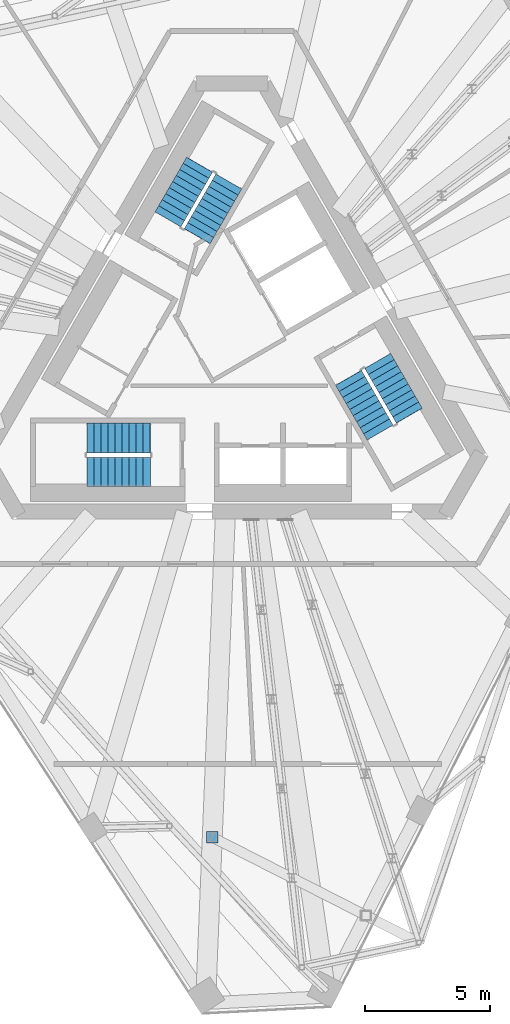
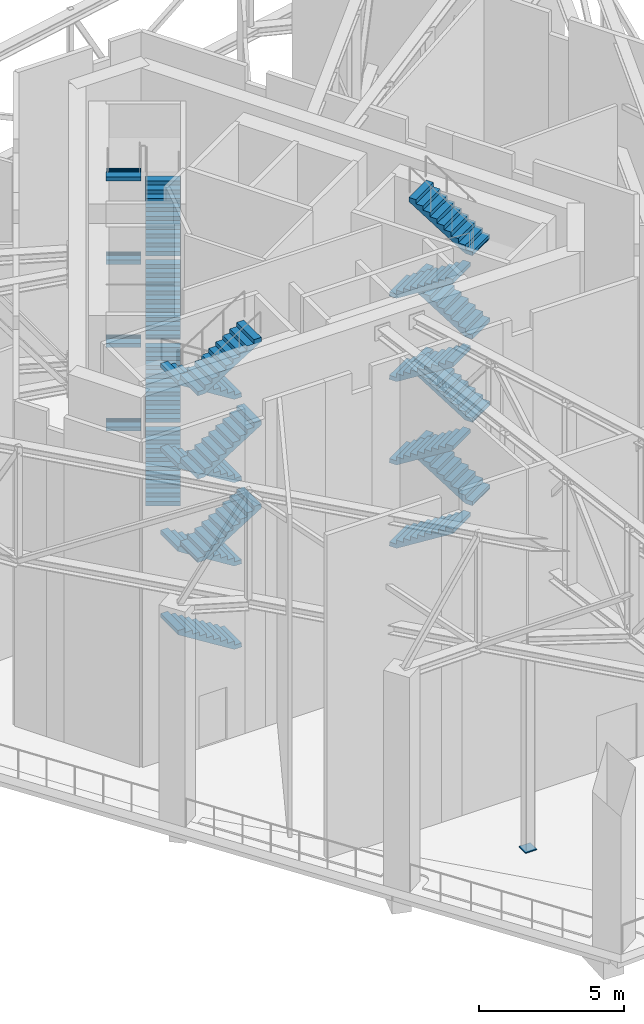
# One storey, part 17 of 23: 23 stair flights, 1 discrete accessory, 3 elements without a shape of their own.
"""IFC4 building model written with IfcOpenShell, lengths in metres."""

from ifc_helpers import new_model, si_unit, direction, frame, origin, origin_2d, place, context, subcontext, project, spatial, polyline, rectangle, outline, extrude, material, layer, layer_set, type_object, element, aggregate, save


model = new_model("IFC4")

# Units and contexts
model_context = context("Model", 3, precision=1e-05, world=origin(), true_north=direction((0.0, 1.0)))
body_context = subcontext(model_context, "Body", "Model", "MODEL_VIEW")
ifc_project = project(units=[si_unit("LENGTHUNIT", "METRE"), si_unit("AREAUNIT", "SQUARE_METRE"), si_unit("VOLUMEUNIT", "CUBIC_METRE"), si_unit("PLANEANGLEUNIT", "RADIAN"), si_unit("MASSUNIT", "GRAM", prefix="KILO")], contexts=[model_context])

# Site, building, storey
site_placement = place(None, origin())
site = spatial("IfcSite", under=ifc_project, at=site_placement, CompositionType="ELEMENT")
building_placement = place(site_placement, origin())
building = spatial("IfcBuilding", under=site, at=building_placement, Name="Tramontana Tower", CompositionType="ELEMENT")
storey_placement = place(building_placement, frame((0.0, 0.0, 306.39990234375)))
storey = spatial("IfcBuildingStorey", under=building, at=storey_placement, Name="L72", CompositionType="ELEMENT", Elevation=306.39990234375)

# Stair, stair flights
ifc_material_1 = material(Name="Concrete 40 MPa", Category="concrete")
stair_type = type_object("IfcStairType", Name="EXIT STAIR 80 RISERS", PredefinedType="HALF_TURN_STAIR", material=ifc_material_1)
stair_1_placement = place(storey_placement, origin())
stair_1 = element("IfcStair", 1, at=stair_1_placement, inside=storey, type_object=stair_type, Name="L72 Exit stair ST1", PredefinedType="HALF_TURN_STAIR")
ifc_material_2 = material(Name="Concrete 40 MPa", Category="concrete")
ifc_layer_1 = layer(ifc_material_2, 0.14990234375)
ifc_layer_set_1 = layer_set([ifc_layer_1], Name="EXIT STAIR FLIGHT")
stair_flight_type = type_object("IfcStairFlightType", Name="EXIT STAIR FLIGHT", PredefinedType="STRAIGHT", material=ifc_layer_set_1)
stair_flight_1_placement = place(storey_placement, frame((-1.39111328125, 4.590576171875, 0.0), z_axis=(0.0, 0.0, 1.0), x_axis=(0.5, 0.866025403784, 0.0)))
stair_flight_1 = element("IfcStairFlight", 2, at=stair_flight_1_placement, type_object=stair_flight_type, Name="ST1 flight 1", NumberOfRisers=10, NumberOfTreads=9, PredefinedType="STRAIGHT", RiserHeight=0.175, TreadLength=0.28, context=body_context, shape_type="SweptSolid", body=[
    extrude(outline(polyline([(-0.006103515625, 0.0), (-0.006103515625, 0.0400390625), (0.0, 0.0400390625), (0.0, 0.175048828125), (0.280029296875, 0.175048828125), (0.280029296875, 0.35009765625), (0.56005859375, 0.35009765625), (0.56005859375, 0.52490234375), (0.840087890625, 0.52490234375), (0.840087890625, 0.699951171875), (1.1201171875, 0.699951171875), (1.1201171875, 0.875), (1.39990234375, 0.875), (1.39990234375, 1.050048828125), (1.679931640625, 1.050048828125), (1.679931640625, 1.22509765625), (1.9599609375, 1.22509765625), (1.9599609375, 1.39990234375), (2.239990234375, 1.39990234375), (2.239990234375, 1.574951171875), (2.52001953125, 1.574951171875), (2.52587890625, 1.574951171875), (2.52587890625, 1.398193359375), (0.288818359375, 0.0), (-0.006103515625, 0.0)])), frame((0.0, 0.60009765625, 0.0), z_axis=(0.0, -1.0, 0.0), x_axis=(1.0, 0.0, 0.0)), (0.0, 0.0, 1.0), 1.199951171875),
])
stair_flight_2_placement = place(storey_placement, frame((-1.30029296875, 7.447998046875, 1.75), z_axis=(0.0, 0.0, 1.0), x_axis=(-0.5, -0.866025403784, 0.0)))
stair_flight_2 = element("IfcStairFlight", 3, at=stair_flight_2_placement, type_object=stair_flight_type, Name="ST1 flight 2", NumberOfRisers=10, NumberOfTreads=9, PredefinedType="STRAIGHT", RiserHeight=0.175, TreadLength=0.28, context=body_context, shape_type="SweptSolid", body=[
    extrude(outline(polyline([(-0.006103515625, 0.0), (-0.006103515625, 0.0400390625), (0.0, 0.0400390625), (0.0, 0.175048828125), (0.280029296875, 0.175048828125), (0.280029296875, 0.35009765625), (0.56005859375, 0.35009765625), (0.56005859375, 0.52490234375), (0.840087890625, 0.52490234375), (0.840087890625, 0.699951171875), (1.1201171875, 0.699951171875), (1.1201171875, 0.875), (1.39990234375, 0.875), (1.39990234375, 1.050048828125), (1.679931640625, 1.050048828125), (1.679931640625, 1.22509765625), (1.9599609375, 1.22509765625), (1.9599609375, 1.39990234375), (2.239990234375, 1.39990234375), (2.239990234375, 1.574951171875), (2.52001953125, 1.574951171875), (2.52587890625, 1.574951171875), (2.52587890625, 1.398193359375), (0.288818359375, 0.0), (-0.006103515625, 0.0)])), frame((0.0, 0.60009765625, 0.0), z_axis=(0.0, -1.0, 0.0), x_axis=(1.0, 0.0, 0.0)), (0.0, 0.0, 1.0), 1.199951171875),
])
stair_flight_3_placement = place(storey_placement, frame((-1.39111328125, 4.590576171875, 3.5), z_axis=(0.0, 0.0, 1.0), x_axis=(0.5, 0.866025403784, 0.0)))
stair_flight_3 = element("IfcStairFlight", 4, at=stair_flight_3_placement, type_object=stair_flight_type, Name="ST1 flight 3", NumberOfRisers=10, NumberOfTreads=9, PredefinedType="STRAIGHT", RiserHeight=0.175, TreadLength=0.28, context=body_context, shape_type="SweptSolid", body=[
    extrude(outline(polyline([(-0.006103515625, 0.0), (-0.006103515625, 0.0400390625), (0.0, 0.0400390625), (0.0, 0.175048828125), (0.280029296875, 0.175048828125), (0.280029296875, 0.35009765625), (0.56005859375, 0.35009765625), (0.56005859375, 0.52490234375), (0.840087890625, 0.52490234375), (0.840087890625, 0.699951171875), (1.1201171875, 0.699951171875), (1.1201171875, 0.875), (1.39990234375, 0.875), (1.39990234375, 1.050048828125), (1.679931640625, 1.050048828125), (1.679931640625, 1.22509765625), (1.9599609375, 1.22509765625), (1.9599609375, 1.39990234375), (2.239990234375, 1.39990234375), (2.239990234375, 1.574951171875), (2.52001953125, 1.574951171875), (2.52587890625, 1.574951171875), (2.52587890625, 1.398193359375), (0.288818359375, 0.0), (-0.006103515625, 0.0)])), frame((0.0, 0.60009765625, 0.0), z_axis=(0.0, -1.0, 0.0), x_axis=(1.0, 0.0, 0.0)), (0.0, 0.0, 1.0), 1.199951171875),
])
stair_flight_4_placement = place(storey_placement, frame((-1.30029296875, 7.447998046875, 5.25), z_axis=(0.0, 0.0, 1.0), x_axis=(-0.5, -0.866025403784, 0.0)))
stair_flight_4 = element("IfcStairFlight", 5, at=stair_flight_4_placement, type_object=stair_flight_type, Name="ST1 flight 4", NumberOfRisers=10, NumberOfTreads=9, PredefinedType="STRAIGHT", RiserHeight=0.175, TreadLength=0.28, context=body_context, shape_type="SweptSolid", body=[
    extrude(outline(polyline([(-0.006103515625, 0.0), (-0.006103515625, 0.0400390625), (0.0, 0.0400390625), (0.0, 0.175048828125), (0.280029296875, 0.175048828125), (0.280029296875, 0.35009765625), (0.56005859375, 0.35009765625), (0.56005859375, 0.52490234375), (0.840087890625, 0.52490234375), (0.840087890625, 0.699951171875), (1.1201171875, 0.699951171875), (1.1201171875, 0.875), (1.39990234375, 0.875), (1.39990234375, 1.050048828125), (1.679931640625, 1.050048828125), (1.679931640625, 1.22509765625), (1.9599609375, 1.22509765625), (1.9599609375, 1.39990234375), (2.239990234375, 1.39990234375), (2.239990234375, 1.574951171875), (2.52001953125, 1.574951171875), (2.52587890625, 1.574951171875), (2.52587890625, 1.398193359375), (0.288818359375, 0.0), (-0.006103515625, 0.0)])), frame((0.0, 0.60009765625, 0.0), z_axis=(0.0, -1.0, 0.0), x_axis=(1.0, 0.0, 0.0)), (0.0, 0.0, 1.0), 1.199951171875),
])
stair_flight_5_placement = place(storey_placement, frame((-1.39111328125, 4.590576171875, 7.0), z_axis=(0.0, 0.0, 1.0), x_axis=(0.5, 0.866025403784, 0.0)))
stair_flight_5 = element("IfcStairFlight", 6, at=stair_flight_5_placement, type_object=stair_flight_type, Name="ST1 flight 5", NumberOfRisers=10, NumberOfTreads=9, PredefinedType="STRAIGHT", RiserHeight=0.175, TreadLength=0.28, context=body_context, shape_type="SweptSolid", body=[
    extrude(outline(polyline([(-0.006103515625, 0.0), (-0.006103515625, 0.0400390625), (0.0, 0.0400390625), (0.0, 0.175048828125), (0.280029296875, 0.175048828125), (0.280029296875, 0.35009765625), (0.56005859375, 0.35009765625), (0.56005859375, 0.52490234375), (0.840087890625, 0.52490234375), (0.840087890625, 0.699951171875), (1.1201171875, 0.699951171875), (1.1201171875, 0.875), (1.39990234375, 0.875), (1.39990234375, 1.050048828125), (1.679931640625, 1.050048828125), (1.679931640625, 1.22509765625), (1.9599609375, 1.22509765625), (1.9599609375, 1.39990234375), (2.239990234375, 1.39990234375), (2.239990234375, 1.574951171875), (2.52001953125, 1.574951171875), (2.52587890625, 1.574951171875), (2.52587890625, 1.398193359375), (0.288818359375, 0.0), (-0.006103515625, 0.0)])), frame((0.0, 0.60009765625, 0.0), z_axis=(0.0, -1.0, 0.0), x_axis=(1.0, 0.0, 0.0)), (0.0, 0.0, 1.0), 1.199951171875),
])
stair_flight_6_placement = place(storey_placement, frame((-1.30029296875, 7.447998046875, 8.75), z_axis=(0.0, 0.0, 1.0), x_axis=(-0.5, -0.866025403784, 0.0)))
stair_flight_6 = element("IfcStairFlight", 7, at=stair_flight_6_placement, type_object=stair_flight_type, Name="ST1 flight 6", NumberOfRisers=10, NumberOfTreads=9, PredefinedType="STRAIGHT", RiserHeight=0.175, TreadLength=0.28, context=body_context, shape_type="SweptSolid", body=[
    extrude(outline(polyline([(-0.006103515625, 0.0), (-0.006103515625, 0.0400390625), (0.0, 0.0400390625), (0.0, 0.175048828125), (0.280029296875, 0.175048828125), (0.280029296875, 0.35009765625), (0.56005859375, 0.35009765625), (0.56005859375, 0.52490234375), (0.840087890625, 0.52490234375), (0.840087890625, 0.699951171875), (1.1201171875, 0.699951171875), (1.1201171875, 0.875), (1.39990234375, 0.875), (1.39990234375, 1.050048828125), (1.679931640625, 1.050048828125), (1.679931640625, 1.22509765625), (1.9599609375, 1.22509765625), (1.9599609375, 1.39990234375), (2.239990234375, 1.39990234375), (2.239990234375, 1.574951171875), (2.52001953125, 1.574951171875), (2.52587890625, 1.574951171875), (2.52587890625, 1.398193359375), (0.288818359375, 0.0), (-0.006103515625, 0.0)])), frame((0.0, 0.60009765625, 0.0), z_axis=(0.0, -1.0, 0.0), x_axis=(1.0, 0.0, 0.0)), (0.0, 0.0, 1.0), 1.199951171875),
])
stair_flight_7_placement = place(storey_placement, frame((-1.39111328125, 4.590576171875, 10.5), z_axis=(0.0, 0.0, 1.0), x_axis=(0.5, 0.866025403784, 0.0)))
stair_flight_7 = element("IfcStairFlight", 8, at=stair_flight_7_placement, type_object=stair_flight_type, Name="ST1 flight 7", NumberOfRisers=10, NumberOfTreads=9, PredefinedType="STRAIGHT", RiserHeight=0.175, TreadLength=0.28, context=body_context, shape_type="SweptSolid", body=[
    extrude(outline(polyline([(-0.006103515625, 0.0), (-0.006103515625, 0.0400390625), (0.0, 0.0400390625), (0.0, 0.175048828125), (0.280029296875, 0.175048828125), (0.280029296875, 0.35009765625), (0.56005859375, 0.35009765625), (0.56005859375, 0.52490234375), (0.840087890625, 0.52490234375), (0.840087890625, 0.699951171875), (1.1201171875, 0.699951171875), (1.1201171875, 0.875), (1.39990234375, 0.875), (1.39990234375, 1.050048828125), (1.679931640625, 1.050048828125), (1.679931640625, 1.22509765625), (1.9599609375, 1.22509765625), (1.9599609375, 1.39990234375), (2.239990234375, 1.39990234375), (2.239990234375, 1.574951171875), (2.52001953125, 1.574951171875), (2.52587890625, 1.574951171875), (2.52587890625, 1.398193359375), (0.288818359375, 0.0), (-0.006103515625, 0.0)])), frame((0.0, 0.60009765625, 0.0), z_axis=(0.0, -1.0, 0.0), x_axis=(1.0, 0.0, 0.0)), (0.0, 0.0, 1.0), 1.199951171875),
])
stair_flight_8_placement = place(storey_placement, frame((-1.30029296875, 7.447998046875, 12.25), z_axis=(0.0, 0.0, 1.0), x_axis=(-0.5, -0.866025403784, 0.0)))
stair_flight_8 = element("IfcStairFlight", 9, at=stair_flight_8_placement, type_object=stair_flight_type, Name="ST1 flight 8", NumberOfRisers=10, NumberOfTreads=9, PredefinedType="STRAIGHT", RiserHeight=0.175, TreadLength=0.28, context=body_context, shape_type="SweptSolid", body=[
    extrude(outline(polyline([(-0.006103515625, 0.0), (-0.006103515625, 0.0400390625), (0.0, 0.0400390625), (0.0, 0.175048828125), (0.280029296875, 0.175048828125), (0.280029296875, 0.35009765625), (0.56005859375, 0.35009765625), (0.56005859375, 0.52490234375), (0.840087890625, 0.52490234375), (0.840087890625, 0.699951171875), (1.1201171875, 0.699951171875), (1.1201171875, 0.875), (1.39990234375, 0.875), (1.39990234375, 1.050048828125), (1.679931640625, 1.050048828125), (1.679931640625, 1.22509765625), (1.9599609375, 1.22509765625), (1.9599609375, 1.39990234375), (2.239990234375, 1.39990234375), (2.239990234375, 1.574951171875), (2.52001953125, 1.574951171875), (2.52587890625, 1.574951171875), (2.52587890625, 1.398193359375), (0.288818359375, 0.0), (-0.006103515625, 0.0)])), frame((0.0, 0.60009765625, 0.0), z_axis=(0.0, -1.0, 0.0), x_axis=(1.0, 0.0, 0.0)), (0.0, 0.0, 1.0), 1.199951171875),
])
aggregate(stair_1, [stair_flight_1, stair_flight_2, stair_flight_3, stair_flight_4, stair_flight_5, stair_flight_6, stair_flight_7, stair_flight_8])

stair_2_placement = place(storey_placement, origin())
stair_2 = element("IfcStair", 10, at=stair_2_placement, inside=storey, type_object=stair_type, Name="L72 Exit stair ST2", PredefinedType="HALF_TURN_STAIR")
stair_flight_9_placement = place(storey_placement, frame((-3.280029296875, -3.5, 0.0), z_axis=(0.0, 0.0, 1.0), x_axis=(-1.0, 0.0, 0.0)))
stair_flight_9 = element("IfcStairFlight", 11, at=stair_flight_9_placement, type_object=stair_flight_type, Name="ST2 flight 1", NumberOfRisers=10, NumberOfTreads=9, PredefinedType="STRAIGHT", RiserHeight=0.175, TreadLength=0.28, context=body_context, shape_type="SweptSolid", body=[
    extrude(outline(polyline([(-0.006103515625, 0.0), (-0.006103515625, 0.0400390625), (0.0, 0.0400390625), (0.0, 0.175048828125), (0.280029296875, 0.175048828125), (0.280029296875, 0.35009765625), (0.56005859375, 0.35009765625), (0.56005859375, 0.52490234375), (0.840087890625, 0.52490234375), (0.840087890625, 0.699951171875), (1.1201171875, 0.699951171875), (1.1201171875, 0.875), (1.39990234375, 0.875), (1.39990234375, 1.050048828125), (1.679931640625, 1.050048828125), (1.679931640625, 1.22509765625), (1.9599609375, 1.22509765625), (1.9599609375, 1.39990234375), (2.239990234375, 1.39990234375), (2.239990234375, 1.574951171875), (2.52001953125, 1.574951171875), (2.52587890625, 1.574951171875), (2.52587890625, 1.398193359375), (0.288818359375, 0.0), (-0.006103515625, 0.0)])), frame((0.0, 0.60009765625, 0.0), z_axis=(0.0, -1.0, 0.0), x_axis=(1.0, 0.0, 0.0)), (0.0, 0.0, 1.0), 1.199951171875),
])
stair_flight_10_placement = place(storey_placement, frame((-3.280029296875, -3.5, 3.5), z_axis=(0.0, 0.0, 1.0), x_axis=(-1.0, 0.0, 0.0)))
stair_flight_10 = element("IfcStairFlight", 12, at=stair_flight_10_placement, type_object=stair_flight_type, Name="ST2 flight 3", NumberOfRisers=10, NumberOfTreads=9, PredefinedType="STRAIGHT", RiserHeight=0.175, TreadLength=0.28, context=body_context, shape_type="SweptSolid", body=[
    extrude(outline(polyline([(-0.006103515625, 0.0), (-0.006103515625, 0.0400390625), (0.0, 0.0400390625), (0.0, 0.175048828125), (0.280029296875, 0.175048828125), (0.280029296875, 0.35009765625), (0.56005859375, 0.35009765625), (0.56005859375, 0.52490234375), (0.840087890625, 0.52490234375), (0.840087890625, 0.699951171875), (1.1201171875, 0.699951171875), (1.1201171875, 0.875), (1.39990234375, 0.875), (1.39990234375, 1.050048828125), (1.679931640625, 1.050048828125), (1.679931640625, 1.22509765625), (1.9599609375, 1.22509765625), (1.9599609375, 1.39990234375), (2.239990234375, 1.39990234375), (2.239990234375, 1.574951171875), (2.52001953125, 1.574951171875), (2.52587890625, 1.574951171875), (2.52587890625, 1.398193359375), (0.288818359375, 0.0), (-0.006103515625, 0.0)])), frame((0.0, 0.60009765625, 0.0), z_axis=(0.0, -1.0, 0.0), x_axis=(1.0, 0.0, 0.0)), (0.0, 0.0, 1.0), 1.199951171875),
])
stair_flight_11_placement = place(storey_placement, frame((-5.800048828125, -4.85009765625, 5.25), z_axis=(0.0, 0.0, 1.0), x_axis=(1.0, 0.0, 0.0)))
stair_flight_11 = element("IfcStairFlight", 13, at=stair_flight_11_placement, type_object=stair_flight_type, Name="ST2 flight 4", NumberOfRisers=10, NumberOfTreads=9, PredefinedType="STRAIGHT", RiserHeight=0.175, TreadLength=0.28, context=body_context, shape_type="SweptSolid", body=[
    extrude(outline(polyline([(-0.006103515625, 0.0), (-0.006103515625, 0.0400390625), (0.0, 0.0400390625), (0.0, 0.175048828125), (0.280029296875, 0.175048828125), (0.280029296875, 0.35009765625), (0.56005859375, 0.35009765625), (0.56005859375, 0.52490234375), (0.840087890625, 0.52490234375), (0.840087890625, 0.699951171875), (1.1201171875, 0.699951171875), (1.1201171875, 0.875), (1.39990234375, 0.875), (1.39990234375, 1.050048828125), (1.679931640625, 1.050048828125), (1.679931640625, 1.22509765625), (1.9599609375, 1.22509765625), (1.9599609375, 1.39990234375), (2.239990234375, 1.39990234375), (2.239990234375, 1.574951171875), (2.52001953125, 1.574951171875), (2.52587890625, 1.574951171875), (2.52587890625, 1.398193359375), (0.288818359375, 0.0), (-0.006103515625, 0.0)])), frame((0.0, 0.60009765625, 0.0), z_axis=(0.0, -1.0, 0.0), x_axis=(1.0, 0.0, 0.0)), (0.0, 0.0, 1.0), 1.199951171875),
])
stair_flight_12_placement = place(storey_placement, frame((-3.280029296875, -3.5, 7.0), z_axis=(0.0, 0.0, 1.0), x_axis=(-1.0, 0.0, 0.0)))
stair_flight_12 = element("IfcStairFlight", 14, at=stair_flight_12_placement, type_object=stair_flight_type, Name="ST2 flight 5", NumberOfRisers=10, NumberOfTreads=9, PredefinedType="STRAIGHT", RiserHeight=0.175, TreadLength=0.28, context=body_context, shape_type="SweptSolid", body=[
    extrude(outline(polyline([(-0.006103515625, 0.0), (-0.006103515625, 0.0400390625), (0.0, 0.0400390625), (0.0, 0.175048828125), (0.280029296875, 0.175048828125), (0.280029296875, 0.35009765625), (0.56005859375, 0.35009765625), (0.56005859375, 0.52490234375), (0.840087890625, 0.52490234375), (0.840087890625, 0.699951171875), (1.1201171875, 0.699951171875), (1.1201171875, 0.875), (1.39990234375, 0.875), (1.39990234375, 1.050048828125), (1.679931640625, 1.050048828125), (1.679931640625, 1.22509765625), (1.9599609375, 1.22509765625), (1.9599609375, 1.39990234375), (2.239990234375, 1.39990234375), (2.239990234375, 1.574951171875), (2.52001953125, 1.574951171875), (2.52587890625, 1.574951171875), (2.52587890625, 1.398193359375), (0.288818359375, 0.0), (-0.006103515625, 0.0)])), frame((0.0, 0.60009765625, 0.0), z_axis=(0.0, -1.0, 0.0), x_axis=(1.0, 0.0, 0.0)), (0.0, 0.0, 1.0), 1.199951171875),
])
stair_flight_13_placement = place(storey_placement, frame((-5.800048828125, -4.85009765625, 8.75), z_axis=(0.0, 0.0, 1.0), x_axis=(1.0, 0.0, 0.0)))
stair_flight_13 = element("IfcStairFlight", 15, at=stair_flight_13_placement, type_object=stair_flight_type, Name="ST2 flight 6", NumberOfRisers=10, NumberOfTreads=9, PredefinedType="STRAIGHT", RiserHeight=0.175, TreadLength=0.28, context=body_context, shape_type="SweptSolid", body=[
    extrude(outline(polyline([(-0.006103515625, 0.0), (-0.006103515625, 0.0400390625), (0.0, 0.0400390625), (0.0, 0.175048828125), (0.280029296875, 0.175048828125), (0.280029296875, 0.35009765625), (0.56005859375, 0.35009765625), (0.56005859375, 0.52490234375), (0.840087890625, 0.52490234375), (0.840087890625, 0.699951171875), (1.1201171875, 0.699951171875), (1.1201171875, 0.875), (1.39990234375, 0.875), (1.39990234375, 1.050048828125), (1.679931640625, 1.050048828125), (1.679931640625, 1.22509765625), (1.9599609375, 1.22509765625), (1.9599609375, 1.39990234375), (2.239990234375, 1.39990234375), (2.239990234375, 1.574951171875), (2.52001953125, 1.574951171875), (2.52587890625, 1.574951171875), (2.52587890625, 1.398193359375), (0.288818359375, 0.0), (-0.006103515625, 0.0)])), frame((0.0, 0.60009765625, 0.0), z_axis=(0.0, -1.0, 0.0), x_axis=(1.0, 0.0, 0.0)), (0.0, 0.0, 1.0), 1.199951171875),
])
stair_flight_14_placement = place(storey_placement, frame((-3.280029296875, -3.5, 10.5), z_axis=(0.0, 0.0, 1.0), x_axis=(-1.0, 0.0, 0.0)))
stair_flight_14 = element("IfcStairFlight", 16, at=stair_flight_14_placement, type_object=stair_flight_type, Name="ST2 flight 7", NumberOfRisers=10, NumberOfTreads=9, PredefinedType="STRAIGHT", RiserHeight=0.175, TreadLength=0.28, context=body_context, shape_type="SweptSolid", body=[
    extrude(outline(polyline([(-0.006103515625, 0.0), (-0.006103515625, 0.0400390625), (0.0, 0.0400390625), (0.0, 0.175048828125), (0.280029296875, 0.175048828125), (0.280029296875, 0.35009765625), (0.56005859375, 0.35009765625), (0.56005859375, 0.52490234375), (0.840087890625, 0.52490234375), (0.840087890625, 0.699951171875), (1.1201171875, 0.699951171875), (1.1201171875, 0.875), (1.39990234375, 0.875), (1.39990234375, 1.050048828125), (1.679931640625, 1.050048828125), (1.679931640625, 1.22509765625), (1.9599609375, 1.22509765625), (1.9599609375, 1.39990234375), (2.239990234375, 1.39990234375), (2.239990234375, 1.574951171875), (2.52001953125, 1.574951171875), (2.52587890625, 1.574951171875), (2.52587890625, 1.398193359375), (0.288818359375, 0.0), (-0.006103515625, 0.0)])), frame((0.0, 0.60009765625, 0.0), z_axis=(0.0, -1.0, 0.0), x_axis=(1.0, 0.0, 0.0)), (0.0, 0.0, 1.0), 1.199951171875),
])
stair_flight_15_placement = place(storey_placement, frame((-5.800048828125, -4.85009765625, 12.25), z_axis=(0.0, 0.0, 1.0), x_axis=(1.0, 0.0, 0.0)))
stair_flight_15 = element("IfcStairFlight", 17, at=stair_flight_15_placement, type_object=stair_flight_type, Name="ST2 flight 8", NumberOfRisers=10, NumberOfTreads=9, PredefinedType="STRAIGHT", RiserHeight=0.175, TreadLength=0.28, context=body_context, shape_type="SweptSolid", body=[
    extrude(outline(polyline([(-0.006103515625, 0.0), (-0.006103515625, 0.0400390625), (0.0, 0.0400390625), (0.0, 0.175048828125), (0.280029296875, 0.175048828125), (0.280029296875, 0.35009765625), (0.56005859375, 0.35009765625), (0.56005859375, 0.52490234375), (0.840087890625, 0.52490234375), (0.840087890625, 0.699951171875), (1.1201171875, 0.699951171875), (1.1201171875, 0.875), (1.39990234375, 0.875), (1.39990234375, 1.050048828125), (1.679931640625, 1.050048828125), (1.679931640625, 1.22509765625), (1.9599609375, 1.22509765625), (1.9599609375, 1.39990234375), (2.239990234375, 1.39990234375), (2.239990234375, 1.574951171875), (2.52001953125, 1.574951171875), (2.52587890625, 1.574951171875), (2.52587890625, 1.398193359375), (0.288818359375, 0.0), (-0.006103515625, 0.0)])), frame((0.0, 0.60009765625, 0.0), z_axis=(0.0, -1.0, 0.0), x_axis=(1.0, 0.0, 0.0)), (0.0, 0.0, 1.0), 1.199951171875),
])
aggregate(stair_2, [stair_flight_9, stair_flight_10, stair_flight_11, stair_flight_12, stair_flight_13, stair_flight_14, stair_flight_15])

stair_3_placement = place(storey_placement, origin())
stair_3 = element("IfcStair", 18, at=stair_3_placement, inside=storey, type_object=stair_type, Name="L72 Exit stair ST3", PredefinedType="HALF_TURN_STAIR")
stair_flight_16_placement = place(storey_placement, frame((4.671142578125, -1.090576171875, 0.0), z_axis=(0.0, 0.0, 1.0), x_axis=(0.5, -0.866025403784, 0.0)))
stair_flight_16 = element("IfcStairFlight", 19, at=stair_flight_16_placement, type_object=stair_flight_type, Name="ST3 flight 1", NumberOfRisers=10, NumberOfTreads=9, PredefinedType="STRAIGHT", RiserHeight=0.175, TreadLength=0.28, context=body_context, shape_type="SweptSolid", body=[
    extrude(outline(polyline([(-0.006103515625, 0.0), (-0.006103515625, 0.0400390625), (0.0, 0.0400390625), (0.0, 0.175048828125), (0.280029296875, 0.175048828125), (0.280029296875, 0.35009765625), (0.56005859375, 0.35009765625), (0.56005859375, 0.52490234375), (0.840087890625, 0.52490234375), (0.840087890625, 0.699951171875), (1.1201171875, 0.699951171875), (1.1201171875, 0.875), (1.39990234375, 0.875), (1.39990234375, 1.050048828125), (1.679931640625, 1.050048828125), (1.679931640625, 1.22509765625), (1.9599609375, 1.22509765625), (1.9599609375, 1.39990234375), (2.239990234375, 1.39990234375), (2.239990234375, 1.574951171875), (2.52001953125, 1.574951171875), (2.52587890625, 1.574951171875), (2.52587890625, 1.398193359375), (0.288818359375, 0.0), (-0.006103515625, 0.0)])), frame((0.0, 0.60009765625, 0.0), z_axis=(0.0, -1.0, 0.0), x_axis=(1.0, 0.0, 0.0)), (0.0, 0.0, 1.0), 1.199951171875),
])
stair_flight_17_placement = place(storey_placement, frame((7.100341796875, -2.597900390625, 1.75), z_axis=(0.0, 0.0, 1.0), x_axis=(-0.5, 0.866025403784, 0.0)))
stair_flight_17 = element("IfcStairFlight", 20, at=stair_flight_17_placement, type_object=stair_flight_type, Name="ST3 flight 2", NumberOfRisers=10, NumberOfTreads=9, PredefinedType="STRAIGHT", RiserHeight=0.175, TreadLength=0.28, context=body_context, shape_type="SweptSolid", body=[
    extrude(outline(polyline([(-0.006103515625, 0.0), (-0.006103515625, 0.0400390625), (0.0, 0.0400390625), (0.0, 0.175048828125), (0.280029296875, 0.175048828125), (0.280029296875, 0.35009765625), (0.56005859375, 0.35009765625), (0.56005859375, 0.52490234375), (0.840087890625, 0.52490234375), (0.840087890625, 0.699951171875), (1.1201171875, 0.699951171875), (1.1201171875, 0.875), (1.39990234375, 0.875), (1.39990234375, 1.050048828125), (1.679931640625, 1.050048828125), (1.679931640625, 1.22509765625), (1.9599609375, 1.22509765625), (1.9599609375, 1.39990234375), (2.239990234375, 1.39990234375), (2.239990234375, 1.574951171875), (2.52001953125, 1.574951171875), (2.52587890625, 1.574951171875), (2.52587890625, 1.398193359375), (0.288818359375, 0.0), (-0.006103515625, 0.0)])), frame((0.0, 0.60009765625, 0.0), z_axis=(0.0, -1.0, 0.0), x_axis=(1.0, 0.0, 0.0)), (0.0, 0.0, 1.0), 1.199951171875),
])
stair_flight_18_placement = place(storey_placement, frame((4.671142578125, -1.090576171875, 3.5), z_axis=(0.0, 0.0, 1.0), x_axis=(0.5, -0.866025403784, 0.0)))
stair_flight_18 = element("IfcStairFlight", 21, at=stair_flight_18_placement, type_object=stair_flight_type, Name="ST3 flight 3", NumberOfRisers=10, NumberOfTreads=9, PredefinedType="STRAIGHT", RiserHeight=0.175, TreadLength=0.28, context=body_context, shape_type="SweptSolid", body=[
    extrude(outline(polyline([(-0.006103515625, 0.0), (-0.006103515625, 0.0400390625), (0.0, 0.0400390625), (0.0, 0.175048828125), (0.280029296875, 0.175048828125), (0.280029296875, 0.35009765625), (0.56005859375, 0.35009765625), (0.56005859375, 0.52490234375), (0.840087890625, 0.52490234375), (0.840087890625, 0.699951171875), (1.1201171875, 0.699951171875), (1.1201171875, 0.875), (1.39990234375, 0.875), (1.39990234375, 1.050048828125), (1.679931640625, 1.050048828125), (1.679931640625, 1.22509765625), (1.9599609375, 1.22509765625), (1.9599609375, 1.39990234375), (2.239990234375, 1.39990234375), (2.239990234375, 1.574951171875), (2.52001953125, 1.574951171875), (2.52587890625, 1.574951171875), (2.52587890625, 1.398193359375), (0.288818359375, 0.0), (-0.006103515625, 0.0)])), frame((0.0, 0.60009765625, 0.0), z_axis=(0.0, -1.0, 0.0), x_axis=(1.0, 0.0, 0.0)), (0.0, 0.0, 1.0), 1.199951171875),
])
stair_flight_19_placement = place(storey_placement, frame((7.100341796875, -2.597900390625, 5.25), z_axis=(0.0, 0.0, 1.0), x_axis=(-0.5, 0.866025403784, 0.0)))
stair_flight_19 = element("IfcStairFlight", 22, at=stair_flight_19_placement, type_object=stair_flight_type, Name="ST3 flight 4", NumberOfRisers=10, NumberOfTreads=9, PredefinedType="STRAIGHT", RiserHeight=0.175, TreadLength=0.28, context=body_context, shape_type="SweptSolid", body=[
    extrude(outline(polyline([(-0.006103515625, 0.0), (-0.006103515625, 0.0400390625), (0.0, 0.0400390625), (0.0, 0.175048828125), (0.280029296875, 0.175048828125), (0.280029296875, 0.35009765625), (0.56005859375, 0.35009765625), (0.56005859375, 0.52490234375), (0.840087890625, 0.52490234375), (0.840087890625, 0.699951171875), (1.1201171875, 0.699951171875), (1.1201171875, 0.875), (1.39990234375, 0.875), (1.39990234375, 1.050048828125), (1.679931640625, 1.050048828125), (1.679931640625, 1.22509765625), (1.9599609375, 1.22509765625), (1.9599609375, 1.39990234375), (2.239990234375, 1.39990234375), (2.239990234375, 1.574951171875), (2.52001953125, 1.574951171875), (2.52587890625, 1.574951171875), (2.52587890625, 1.398193359375), (0.288818359375, 0.0), (-0.006103515625, 0.0)])), frame((0.0, 0.60009765625, 0.0), z_axis=(0.0, -1.0, 0.0), x_axis=(1.0, 0.0, 0.0)), (0.0, 0.0, 1.0), 1.199951171875),
])
stair_flight_20_placement = place(storey_placement, frame((4.671142578125, -1.090576171875, 7.0), z_axis=(0.0, 0.0, 1.0), x_axis=(0.5, -0.866025403784, 0.0)))
stair_flight_20 = element("IfcStairFlight", 23, at=stair_flight_20_placement, type_object=stair_flight_type, Name="ST3 flight 5", NumberOfRisers=10, NumberOfTreads=9, PredefinedType="STRAIGHT", RiserHeight=0.175, TreadLength=0.28, context=body_context, shape_type="SweptSolid", body=[
    extrude(outline(polyline([(-0.006103515625, 0.0), (-0.006103515625, 0.0400390625), (0.0, 0.0400390625), (0.0, 0.175048828125), (0.280029296875, 0.175048828125), (0.280029296875, 0.35009765625), (0.56005859375, 0.35009765625), (0.56005859375, 0.52490234375), (0.840087890625, 0.52490234375), (0.840087890625, 0.699951171875), (1.1201171875, 0.699951171875), (1.1201171875, 0.875), (1.39990234375, 0.875), (1.39990234375, 1.050048828125), (1.679931640625, 1.050048828125), (1.679931640625, 1.22509765625), (1.9599609375, 1.22509765625), (1.9599609375, 1.39990234375), (2.239990234375, 1.39990234375), (2.239990234375, 1.574951171875), (2.52001953125, 1.574951171875), (2.52587890625, 1.574951171875), (2.52587890625, 1.398193359375), (0.288818359375, 0.0), (-0.006103515625, 0.0)])), frame((0.0, 0.60009765625, 0.0), z_axis=(0.0, -1.0, 0.0), x_axis=(1.0, 0.0, 0.0)), (0.0, 0.0, 1.0), 1.199951171875),
])
stair_flight_21_placement = place(storey_placement, frame((7.100341796875, -2.597900390625, 8.75), z_axis=(0.0, 0.0, 1.0), x_axis=(-0.5, 0.866025403784, 0.0)))
stair_flight_21 = element("IfcStairFlight", 24, at=stair_flight_21_placement, type_object=stair_flight_type, Name="ST3 flight 6", NumberOfRisers=10, NumberOfTreads=9, PredefinedType="STRAIGHT", RiserHeight=0.175, TreadLength=0.28, context=body_context, shape_type="SweptSolid", body=[
    extrude(outline(polyline([(-0.006103515625, 0.0), (-0.006103515625, 0.0400390625), (0.0, 0.0400390625), (0.0, 0.175048828125), (0.280029296875, 0.175048828125), (0.280029296875, 0.35009765625), (0.56005859375, 0.35009765625), (0.56005859375, 0.52490234375), (0.840087890625, 0.52490234375), (0.840087890625, 0.699951171875), (1.1201171875, 0.699951171875), (1.1201171875, 0.875), (1.39990234375, 0.875), (1.39990234375, 1.050048828125), (1.679931640625, 1.050048828125), (1.679931640625, 1.22509765625), (1.9599609375, 1.22509765625), (1.9599609375, 1.39990234375), (2.239990234375, 1.39990234375), (2.239990234375, 1.574951171875), (2.52001953125, 1.574951171875), (2.52587890625, 1.574951171875), (2.52587890625, 1.398193359375), (0.288818359375, 0.0), (-0.006103515625, 0.0)])), frame((0.0, 0.60009765625, 0.0), z_axis=(0.0, -1.0, 0.0), x_axis=(1.0, 0.0, 0.0)), (0.0, 0.0, 1.0), 1.199951171875),
])
stair_flight_22_placement = place(storey_placement, frame((4.671142578125, -1.090576171875, 10.5), z_axis=(0.0, 0.0, 1.0), x_axis=(0.5, -0.866025403784, 0.0)))
stair_flight_22 = element("IfcStairFlight", 25, at=stair_flight_22_placement, type_object=stair_flight_type, Name="ST3 flight 7", NumberOfRisers=10, NumberOfTreads=9, PredefinedType="STRAIGHT", RiserHeight=0.175, TreadLength=0.28, context=body_context, shape_type="SweptSolid", body=[
    extrude(outline(polyline([(-0.006103515625, 0.0), (-0.006103515625, 0.0400390625), (0.0, 0.0400390625), (0.0, 0.175048828125), (0.280029296875, 0.175048828125), (0.280029296875, 0.35009765625), (0.56005859375, 0.35009765625), (0.56005859375, 0.52490234375), (0.840087890625, 0.52490234375), (0.840087890625, 0.699951171875), (1.1201171875, 0.699951171875), (1.1201171875, 0.875), (1.39990234375, 0.875), (1.39990234375, 1.050048828125), (1.679931640625, 1.050048828125), (1.679931640625, 1.22509765625), (1.9599609375, 1.22509765625), (1.9599609375, 1.39990234375), (2.239990234375, 1.39990234375), (2.239990234375, 1.574951171875), (2.52001953125, 1.574951171875), (2.52587890625, 1.574951171875), (2.52587890625, 1.398193359375), (0.288818359375, 0.0), (-0.006103515625, 0.0)])), frame((0.0, 0.60009765625, 0.0), z_axis=(0.0, -1.0, 0.0), x_axis=(1.0, 0.0, 0.0)), (0.0, 0.0, 1.0), 1.199951171875),
])
stair_flight_23_placement = place(storey_placement, frame((7.100341796875, -2.597900390625, 12.25), z_axis=(0.0, 0.0, 1.0), x_axis=(-0.5, 0.866025403784, 0.0)))
stair_flight_23 = element("IfcStairFlight", 26, at=stair_flight_23_placement, type_object=stair_flight_type, Name="ST3 flight 8", NumberOfRisers=10, NumberOfTreads=9, PredefinedType="STRAIGHT", RiserHeight=0.175, TreadLength=0.28, context=body_context, shape_type="SweptSolid", body=[
    extrude(outline(polyline([(-0.006103515625, 0.0), (-0.006103515625, 0.0400390625), (0.0, 0.0400390625), (0.0, 0.175048828125), (0.280029296875, 0.175048828125), (0.280029296875, 0.35009765625), (0.56005859375, 0.35009765625), (0.56005859375, 0.52490234375), (0.840087890625, 0.52490234375), (0.840087890625, 0.699951171875), (1.1201171875, 0.699951171875), (1.1201171875, 0.875), (1.39990234375, 0.875), (1.39990234375, 1.050048828125), (1.679931640625, 1.050048828125), (1.679931640625, 1.22509765625), (1.9599609375, 1.22509765625), (1.9599609375, 1.39990234375), (2.239990234375, 1.39990234375), (2.239990234375, 1.574951171875), (2.52001953125, 1.574951171875), (2.52587890625, 1.574951171875), (2.52587890625, 1.398193359375), (0.288818359375, 0.0), (-0.006103515625, 0.0)])), frame((0.0, 0.60009765625, 0.0), z_axis=(0.0, -1.0, 0.0), x_axis=(1.0, 0.0, 0.0)), (0.0, 0.0, 1.0), 1.199951171875),
])
aggregate(stair_3, [stair_flight_16, stair_flight_17, stair_flight_18, stair_flight_19, stair_flight_20, stair_flight_21, stair_flight_22, stair_flight_23])

# Discrete accessory
ifc_material_3 = material(Name="Steel ASTM A572 Grade 50", Category="steel")
ifc_layer_2 = layer(ifc_material_3, 0.0400390625)
ifc_layer_set_2 = layer_set([ifc_layer_2], Name="Base plate 450X450X40")
discrete_accessory_type = type_object("IfcDiscreteAccessoryType", Name="Base plate 450X450X40", PredefinedType="ANCHORPLATE", material=ifc_layer_set_2)
discrete_accessory_placement = place(storey_placement, frame((-0.7890625, -19.4912109375, 0.0), z_axis=(0.0, 0.0, 1.0), x_axis=(1.0, 0.0, 0.0)))
element("IfcDiscreteAccessory", 27, at=discrete_accessory_placement, inside=storey, type_object=discrete_accessory_type, Name="Transfer truss post base plate C8K3.2", PredefinedType="ANCHORPLATE", context=body_context, shape_type="SweptSolid", body=[
    extrude(rectangle(XDim=0.449951171875, YDim=0.449951171875, at=origin_2d()), origin(), (0.0, 0.0, 1.0), 0.0400390625),
])

save(model, "model.ifc")
